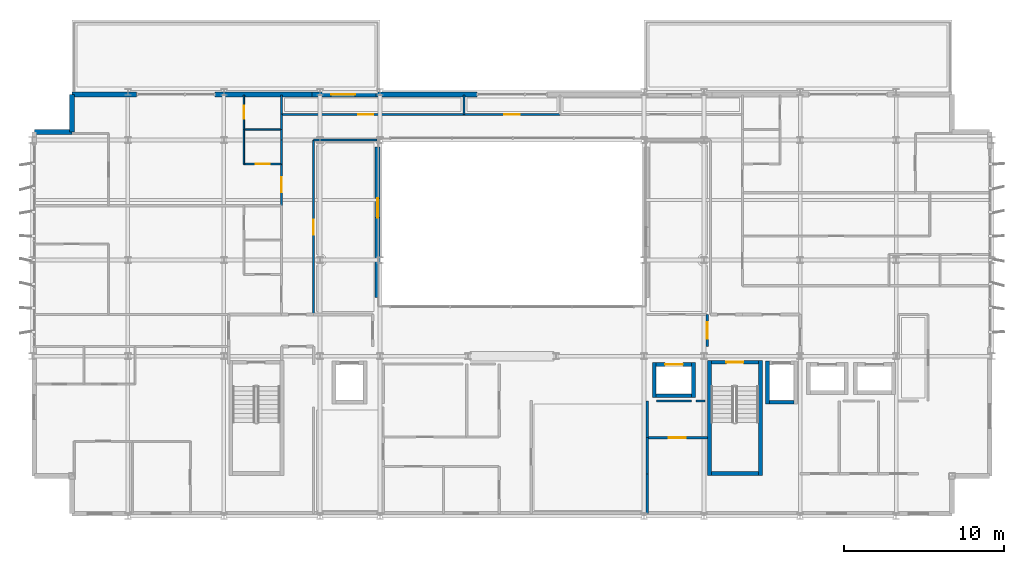
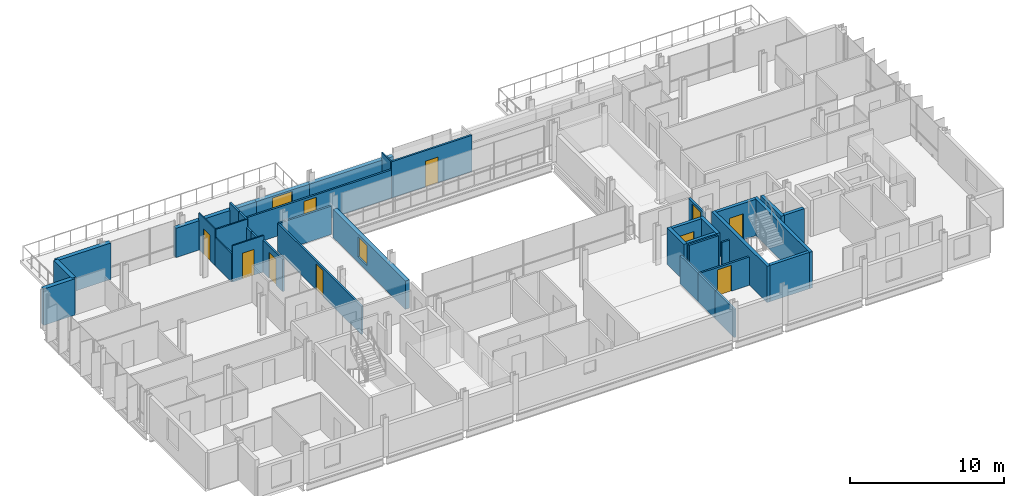
# One storey, part 30 of 38: 38 walls, 11 doors, 1 window, 12 openings.
"""IFC4 building model written with IfcOpenShell, lengths in metres."""

from ifc_helpers import new_model, si_unit, direction, frame, frame_2d, origin, place, context, subcontext, project, spatial, rectangle, extrude, material, layer, layer_set, type_object, element, fill, save


model = new_model("IFC4")

# Units and contexts
model_context = context("Model", 3, precision=1e-05, world=origin(), true_north=direction((0.0, 1.0)))
body_context = subcontext(model_context, "Body", "Model", "MODEL_VIEW")
ifc_project = project(units=[si_unit("LENGTHUNIT", "METRE"), si_unit("AREAUNIT", "SQUARE_METRE"), si_unit("VOLUMEUNIT", "CUBIC_METRE"), si_unit("PLANEANGLEUNIT", "RADIAN"), si_unit("MASSUNIT", "GRAM", prefix="KILO")], contexts=[model_context])

# Site, building, storey
site_placement = place(None, origin())
site = spatial("IfcSite", under=ifc_project, at=site_placement, CompositionType="ELEMENT")
building_placement = place(site_placement, origin())
building = spatial("IfcBuilding", under=site, at=building_placement, Name="Brevholm Reach", CompositionType="ELEMENT")
storey_placement = place(building_placement, frame((0.0, 0.0, 172.800048828125)))
storey = spatial("IfcBuildingStorey", under=building, at=storey_placement, Name="L52", CompositionType="ELEMENT", Elevation=172.800048828125)

# Walls
ifc_material_1 = material(Name="Concrete C45/55", Category="concrete")
ifc_layer_1 = layer(ifc_material_1, 0.239990234375)
ifc_layer_set_1 = layer_set([ifc_layer_1], Name="Concrete C45/55")
wall_type_1 = type_object("IfcWallType", Name="WAL-COR-240", PredefinedType="SHEAR", material=ifc_layer_set_1)
for number, where, z_axis, x_axis, name in (
    (1, (42.330078125, 2.5400390625, 0.0), (0.0, 0.0, 1.0), (0.0, 1.0, 0.0), "L52 Escape Stair ST-2 Core Wall W"),
    (2, (45.52001953125, 2.5400390625, 0.0), (0.0, 0.0, 1.0), (0.0, 1.0, 0.0), "L52 Escape Stair ST-2 Core Wall E"),
):
    element("IfcWall", number, at=place(storey_placement, frame(where, z_axis=z_axis, x_axis=x_axis)), inside=storey, type_object=wall_type_1, Name=name, PredefinedType="SHEAR", context=body_context, shape_type="SweptSolid", body=[
        extrude(rectangle(XDim=7.199951171875, YDim=0.239990234375, at=frame_2d((3.60009765625, 0.0))), origin(), (0.0, 0.0, 1.0), 2.889892578125),
    ])
wall_1_placement = place(storey_placement, frame((42.449951171875, 2.659912109375, 0.0), z_axis=(0.0, 0.0, 1.0), x_axis=(1.0, 0.0, 0.0)))
element("IfcWall", 3, at=wall_1_placement, inside=storey, type_object=wall_type_1, Name="L52 Escape Stair ST-2 Core Wall S", PredefinedType="SHEAR", context=body_context, shape_type="SweptSolid", body=[
    extrude(rectangle(XDim=2.949951171875, YDim=0.239990234375, at=frame_2d((1.47509765625, 0.0))), origin(), (0.0, 0.0, 1.0), 2.889892578125),
])

# Wall, opening, door
wall_2_placement = place(storey_placement, frame((45.39990234375, 9.6201171875, 0.0), z_axis=(0.0, 0.0, 1.0), x_axis=(-1.0, 0.0, 0.0)))
wall_2 = element("IfcWall", 4, at=wall_2_placement, inside=storey, type_object=wall_type_1, Name="L52 Escape Stair ST-2 Core Wall N", PredefinedType="SHEAR", context=body_context, shape_type="SweptSolid", body=[
    extrude(rectangle(XDim=2.949951171875, YDim=0.239990234375, at=frame_2d((1.47509765625, 0.0))), origin(), (0.0, 0.0, 1.0), 2.889892578125),
])
opening_1_placement = place(wall_2_placement, frame((0.949951171875, 0.0, 0.0)))
opening_1 = element("IfcOpeningElement", 5, at=opening_1_placement, cuts=wall_2, Name="Opening SD-ST-2", PredefinedType="OPENING", context=body_context, shape_type="SweptSolid", body=[
    extrude(rectangle(XDim=1.050048828125, YDim=2.06005859375, at=frame_2d((0.52490234375, 1.030029296875))), frame((0.0, 0.1298828125, 0.0), z_axis=(0.0, -1.0, 0.0), x_axis=(1.0, 0.0, 0.0)), (0.0, 0.0, 1.0), 0.260009765625),
])
ifc_material_2 = material(Name="Hardwood-Lipped Steel-Core Fire and Smoke Door", Category="steel")
door_type_1 = type_object("IfcDoorType", Name="DOR-INT-FD60S", OperationType="NOTDEFINED", PredefinedType="DOOR", material=ifc_material_2)
door_1_placement = place(opening_1_placement, origin())
door_1 = element("IfcDoor", 6, at=door_1_placement, inside=storey, type_object=door_type_1, Name="L52 Protected Stair ST-2 Lobby Door", OperationType="SINGLE_SWING_LEFT", OverallHeight=2.06005859375, OverallWidth=1.050048828125, PredefinedType="DOOR", context=body_context, shape_type="SweptSolid", body=[
    extrude(rectangle(XDim=1.050048828125, YDim=2.06005859375, at=frame_2d((0.52490234375, 1.030029296875))), frame((0.0, 0.02490234375, 0.0), z_axis=(0.0, -1.0, 0.0), x_axis=(1.0, 0.0, 0.0)), (0.0, 0.0, 1.0), 0.050048828125),
])
fill(opening_1, door_1)

# Walls
wall_3_placement = place(storey_placement, frame((45.969970703125, 7.0, 0.0), z_axis=(0.0, 0.0, 1.0), x_axis=(0.0, 1.0, 0.0)))
element("IfcWall", 7, at=wall_3_placement, inside=storey, type_object=wall_type_1, Name="L52 Lift FFL-2 Shaft Wall W", PredefinedType="SHEAR", context=body_context, shape_type="SweptSolid", body=[
    extrude(rectangle(XDim=2.699951171875, YDim=0.239990234375, at=frame_2d((1.35009765625, 0.0))), origin(), (0.0, 0.0, 1.0), 2.889892578125),
])
wall_4_placement = place(storey_placement, frame((46.090087890625, 7.1201171875, 0.0), z_axis=(0.0, 0.0, 1.0), x_axis=(1.0, 0.0, 0.0)))
element("IfcWall", 8, at=wall_4_placement, inside=storey, type_object=wall_type_1, Name="L52 Lift FFL-2 Shaft Wall S", PredefinedType="SHEAR", context=body_context, shape_type="SweptSolid", body=[
    extrude(rectangle(XDim=1.52001953125, YDim=0.239990234375, at=frame_2d((0.760009765625, 0.0))), origin(), (0.0, 0.0, 1.0), 2.889892578125),
])
for number, where, z_axis, x_axis, name in (
    (9, (38.889892578125, 7.39990234375, 0.0), (0.0, 0.0, 1.0), (0.0, 1.0, 0.0), "L52 Lift PL-S1 Shaft Wall W"),
    (10, (41.35009765625, 7.39990234375, 0.0), (0.0, 0.0, 1.0), (0.0, 1.0, 0.0), "L52 Lift PL-S1 Shaft Wall E"),
):
    element("IfcWall", number, at=place(storey_placement, frame(where, z_axis=z_axis, x_axis=x_axis)), inside=storey, type_object=wall_type_1, Name=name, PredefinedType="SHEAR", context=body_context, shape_type="SweptSolid", body=[
        extrude(rectangle(XDim=2.2001953125, YDim=0.239990234375, at=frame_2d((1.10009765625, 0.0))), origin(), (0.0, 0.0, 1.0), 2.889892578125),
    ])
wall_5_placement = place(storey_placement, frame((39.010009765625, 7.52001953125, 0.0), z_axis=(0.0, 0.0, 1.0), x_axis=(1.0, 0.0, 0.0)))
element("IfcWall", 11, at=wall_5_placement, inside=storey, type_object=wall_type_1, Name="L52 Lift PL-S1 Shaft Wall S", PredefinedType="SHEAR", context=body_context, shape_type="SweptSolid", body=[
    extrude(rectangle(XDim=2.219970703125, YDim=0.239990234375, at=frame_2d((1.10986328125, 0.0))), origin(), (0.0, 0.0, 1.0), 2.889892578125),
])

# Wall, opening, door
wall_6_placement = place(storey_placement, frame((39.010009765625, 9.47998046875, 0.0), z_axis=(0.0, 0.0, 1.0), x_axis=(1.0, 0.0, 0.0)))
wall_6 = element("IfcWall", 12, at=wall_6_placement, inside=storey, type_object=wall_type_1, Name="L52 Lift PL-S1 Shaft Wall N", PredefinedType="SHEAR", context=body_context, shape_type="SweptSolid", body=[
    extrude(rectangle(XDim=2.219970703125, YDim=0.239990234375, at=frame_2d((1.10986328125, 0.0))), origin(), (0.0, 0.0, 1.0), 2.889892578125),
])
opening_2_placement = place(wall_6_placement, frame((0.56005859375, 0.0, 0.0)))
opening_2 = element("IfcOpeningElement", 13, at=opening_2_placement, cuts=wall_6, Name="Opening LD-PL-S1", PredefinedType="OPENING", context=body_context, shape_type="SweptSolid", body=[
    extrude(rectangle(XDim=1.10009765625, YDim=2.06005859375, at=frame_2d((0.550048828125, 1.030029296875))), frame((0.0, 0.1298828125, 0.0), z_axis=(0.0, -1.0, 0.0), x_axis=(1.0, 0.0, 0.0)), (0.0, 0.0, 1.0), 0.260009765625),
])
ifc_material_3 = material(Name="Brushed Stainless Steel Fire-Rated Sliding Lift Door", Category="steel")
door_type_2 = type_object("IfcDoorType", Name="DOR-LFT-1100", OperationType="NOTDEFINED", PredefinedType="DOOR", material=ifc_material_3)
door_2_placement = place(opening_2_placement, origin())
door_2 = element("IfcDoor", 14, at=door_2_placement, inside=storey, type_object=door_type_2, Name="L52 Lift PL-S1 Sliding Landing Door", OperationType="SLIDING_TO_RIGHT", OverallHeight=2.06005859375, OverallWidth=1.10009765625, PredefinedType="DOOR", context=body_context, shape_type="SweptSolid", body=[
    extrude(rectangle(XDim=1.10009765625, YDim=2.06005859375, at=frame_2d((0.550048828125, 1.030029296875))), frame((0.0, 0.02490234375, 0.0), z_axis=(0.0, -1.0, 0.0), x_axis=(1.0, 0.0, 0.0)), (0.0, 0.0, 1.0), 0.050048828125),
])
fill(opening_2, door_2)

ifc_material_4 = material(Name="Concrete C40/50", Category="concrete")
ifc_layer_2 = layer(ifc_material_4, 0.300048828125)
ifc_layer_set_2 = layer_set([ifc_layer_2], Name="Concrete C40/50")
wall_type_2 = type_object("IfcWallType", Name="WAL-EXT-300", PredefinedType="STANDARD", material=ifc_layer_set_2)
wall_7_placement = place(storey_placement, frame((17.5, 26.35009765625, 0.0), z_axis=(0.0, 0.0, 1.0), x_axis=(1.0, 0.0, 0.0)))
wall_7 = element("IfcWall", 15, at=wall_7_placement, inside=storey, type_object=wall_type_2, Name="L52 Facade Wall WAL-L52-TERR-NW", PredefinedType="STANDARD", context=body_context, shape_type="SweptSolid", body=[
    extrude(rectangle(XDim=4.0, YDim=0.300048828125, at=frame_2d((2.0, 0.0))), origin(), (0.0, 0.0, 1.0), 2.331787109375),
])
opening_3_placement = place(wall_7_placement, frame((1.199951171875, 0.0, 0.0)))
opening_3 = element("IfcOpeningElement", 16, at=opening_3_placement, cuts=wall_7, Name="Opening ED-04", PredefinedType="OPENING", context=body_context, shape_type="SweptSolid", body=[
    extrude(rectangle(XDim=1.5, YDim=2.199951171875, at=frame_2d((0.75, 1.10009765625))), frame((0.0, 0.159912109375, 0.0), z_axis=(0.0, -1.0, 0.0), x_axis=(1.0, 0.0, 0.0)), (0.0, 0.0, 1.0), 0.320068359375),
])
ifc_material_5 = material(Name="Dark Anodised Aluminium and Laminated Glass", Category="aluminium")
door_type_3 = type_object("IfcDoorType", Name="DOR-EXT-TER", OperationType="NOTDEFINED", PredefinedType="DOOR", material=ifc_material_5)
door_3_placement = place(opening_3_placement, origin())
door_3 = element("IfcDoor", 17, at=door_3_placement, inside=storey, type_object=door_type_3, Name="L52 Exterior Door DOR-L52-TERR-NW", OperationType="SINGLE_SWING_LEFT", OverallHeight=2.199951171875, OverallWidth=1.5, PredefinedType="DOOR", context=body_context, shape_type="SweptSolid", body=[
    extrude(rectangle(XDim=1.5, YDim=2.199951171875, at=frame_2d((0.75, 1.10009765625))), frame((0.0, 0.02490234375, 0.0), z_axis=(0.0, -1.0, 0.0), x_axis=(1.0, 0.0, 0.0)), (0.0, 0.0, 1.0), 0.050048828125),
])
fill(opening_3, door_3)

# Walls
for number, where, z_axis, x_axis, name in (
    (18, (2.5, 26.35009765625, 0.0), (0.0, 0.0, 1.0), (0.0, -1.0, 0.0), "L52 Facade Wall WAL-L52-CNW1"),
    (19, (2.5, 24.0, 0.0), (0.0, 0.0, 1.0), (-1.0, 0.0, 0.0), "L52 Facade Wall WAL-L52-CNW2"),
):
    element("IfcWall", number, at=place(storey_placement, frame(where, z_axis=z_axis, x_axis=x_axis)), inside=storey, type_object=wall_type_2, Name=name, PredefinedType="STANDARD", context=body_context, shape_type="SweptSolid", body=[
        extrude(rectangle(XDim=2.35009765625, YDim=0.300048828125, at=frame_2d((1.175048828125, 0.0))), origin(), (0.0, 0.0, 1.0), 2.889892578125),
    ])
wall_8_placement = place(storey_placement, frame((2.5, 26.35009765625, 0.0), z_axis=(0.0, 0.0, 1.0), x_axis=(1.0, 0.0, 0.0)))
element("IfcWall", 20, at=wall_8_placement, inside=storey, type_object=wall_type_2, Name="L52 Facade Wall WAL-L52-NP-W0", PredefinedType="STANDARD", context=body_context, shape_type="SweptSolid", body=[
    extrude(rectangle(XDim=4.050048828125, YDim=0.300048828125, at=frame_2d((2.02490234375, 0.0))), origin(), (0.0, 0.0, 1.0), 2.889892578125),
])
wall_9_placement = place(storey_placement, frame((11.449951171875, 26.35009765625, 0.0), z_axis=(0.0, 0.0, 1.0), x_axis=(1.0, 0.0, 0.0)))
element("IfcWall", 21, at=wall_9_placement, inside=storey, type_object=wall_type_2, Name="L52 Facade Wall WAL-L52-NP-L1", PredefinedType="STANDARD", context=body_context, shape_type="SweptSolid", body=[
    extrude(rectangle(XDim=6.050048828125, YDim=0.300048828125, at=frame_2d((3.02490234375, 0.0))), origin(), (0.0, 0.0, 1.0), 2.331787109375),
])
wall_10_placement = place(storey_placement, frame((21.5, 26.35009765625, 0.0), z_axis=(0.0, 0.0, 1.0), x_axis=(1.0, 0.0, 0.0)))
element("IfcWall", 22, at=wall_10_placement, inside=storey, type_object=wall_type_2, Name="L52 Facade Wall WAL-L52-NP-L2", PredefinedType="STANDARD", context=body_context, shape_type="SweptSolid", body=[
    extrude(rectangle(XDim=6.300048828125, YDim=0.300048828125, at=frame_2d((3.14990234375, 0.0))), origin(), (0.0, 0.0, 1.0), 2.331787109375),
])

# Wall, opening, window
wall_11_placement = place(storey_placement, frame((21.60009765625, 23.050048828125, 0.0), z_axis=(0.0, 0.0, 1.0), x_axis=(0.0, -1.0, 0.0)))
wall_11 = element("IfcWall", 23, at=wall_11_placement, inside=storey, type_object=wall_type_2, Name="L52 Facade Wall WAL-L52-AT-W", PredefinedType="STANDARD", context=body_context, shape_type="SweptSolid", body=[
    extrude(rectangle(XDim=9.400146484375, YDim=0.300048828125, at=frame_2d((4.7001953125, 0.0))), origin(), (0.0, 0.0, 1.0), 2.252685546875),
])
opening_4_placement = place(wall_11_placement, frame((3.199951171875, 0.0, 0.43310546875)))
opening_4 = element("IfcOpeningElement", 24, at=opening_4_placement, cuts=wall_11, Name="Opening WN-08", PredefinedType="OPENING", context=body_context, shape_type="SweptSolid", body=[
    extrude(rectangle(XDim=1.199951171875, YDim=1.60009765625, at=frame_2d((0.60009765625, 0.800048828125))), frame((0.0, 0.159912109375, 0.0), z_axis=(0.0, -1.0, 0.0), x_axis=(1.0, 0.0, 0.0)), (0.0, 0.0, 1.0), 0.320068359375),
])
ifc_material_6 = material(Name="Dark Anodised Aluminium and Solar-Control IGU Glass", Category="aluminium")
window_type = type_object("IfcWindowType", Name="WIN-RES-1200", PartitioningType="SINGLE_PANEL", PredefinedType="WINDOW", material=ifc_material_6)
window_placement = place(opening_4_placement, origin())
window = element("IfcWindow", 25, at=window_placement, inside=storey, type_object=window_type, Name="L52 Window WIN-L52-AT-W1", OverallHeight=1.60009765625, OverallWidth=1.199951171875, PartitioningType="SINGLE_PANEL", PredefinedType="WINDOW", context=body_context, shape_type="SweptSolid", body=[
    extrude(rectangle(XDim=1.199951171875, YDim=1.60009765625, at=frame_2d((0.60009765625, 0.800048828125))), frame((0.0, 0.030029296875, 0.0), z_axis=(0.0, -1.0, 0.0), x_axis=(1.0, 0.0, 0.0)), (0.0, 0.0, 1.0), 0.06005859375),
])
fill(opening_4, window)

# Wall
ifc_material_7 = material(Name="Moisture-Resistant Acoustic Gypsum Stud Partition 100 mm", Category="gypsum")
ifc_layer_3 = layer(ifc_material_7, 0.10009765625)
ifc_layer_set_3 = layer_set([ifc_layer_3], Name="Moisture-Resistant Acoustic Gypsum Stud Partition 100 mm")
wall_type_3 = type_object("IfcWallType", Name="WAL-PRT-100", PredefinedType="PARTITIONING", material=ifc_layer_set_3)
wall_12_placement = place(storey_placement, frame((13.25, 24.14990234375, 0.0), z_axis=(0.0, 0.0, 1.0), x_axis=(1.0, 0.0, 0.0)))
element("IfcWall", 26, at=wall_12_placement, inside=storey, type_object=wall_type_3, Name="L52 Internal Partition 078", PredefinedType="PARTITIONING", context=body_context, shape_type="SweptSolid", body=[
    extrude(rectangle(XDim=2.35009765625, YDim=0.10009765625, at=frame_2d((1.175048828125, 0.0))), origin(), (0.0, 0.0, 1.0), 2.889892578125),
])

# Wall, opening, door
wall_13_placement = place(storey_placement, frame((13.25, 24.14990234375, 0.0), z_axis=(0.0, 0.0, 1.0), x_axis=(0.0, 1.0, 0.0)))
wall_13 = element("IfcWall", 27, at=wall_13_placement, inside=storey, type_object=wall_type_3, Name="L52 Internal Partition 079", PredefinedType="PARTITIONING", context=body_context, shape_type="SweptSolid", body=[
    extrude(rectangle(XDim=2.150146484375, YDim=0.10009765625, at=frame_2d((1.0751953125, 0.0))), origin(), (0.0, 0.0, 1.0), 2.889892578125),
])
opening_5_placement = place(wall_13_placement, frame((0.6650390625, 0.0, 0.0)))
opening_5 = element("IfcOpeningElement", 28, at=opening_5_placement, cuts=wall_13, Name="Opening ID-03", PredefinedType="OPENING", context=body_context, shape_type="SweptSolid", body=[
    extrude(rectangle(XDim=0.820068359375, YDim=2.02001953125, at=frame_2d((0.41015625, 1.010009765625))), frame((0.0, 0.06005859375, 0.0), z_axis=(0.0, -1.0, 0.0), x_axis=(1.0, 0.0, 0.0)), (0.0, 0.0, 1.0), 0.1201171875),
])
ifc_material_8 = material(Name="Moisture-Resistant Painted Timber Internal Bathroom Door", Category="wood")
door_type_4 = type_object("IfcDoorType", Name="DOR-BATH-820", OperationType="NOTDEFINED", PredefinedType="DOOR", material=ifc_material_8)
door_4_placement = place(opening_5_placement, origin())
door_4 = element("IfcDoor", 29, at=door_4_placement, inside=storey, type_object=door_type_4, Name="L52 Internal Door 034", OperationType="SINGLE_SWING_LEFT", OverallHeight=2.02001953125, OverallWidth=0.820068359375, PredefinedType="DOOR", context=body_context, shape_type="SweptSolid", body=[
    extrude(rectangle(XDim=0.820068359375, YDim=2.02001953125, at=frame_2d((0.41015625, 1.010009765625))), frame((0.0, 0.02490234375, 0.0), z_axis=(0.0, -1.0, 0.0), x_axis=(1.0, 0.0, 0.0)), (0.0, 0.0, 1.0), 0.050048828125),
])
fill(opening_5, door_4)

wall_14_placement = place(storey_placement, frame((13.25, 22.0, 0.0), z_axis=(0.0, 0.0, 1.0), x_axis=(1.0, 0.0, 0.0)))
wall_14 = element("IfcWall", 30, at=wall_14_placement, inside=storey, type_object=wall_type_3, Name="L52 Internal Partition 082", PredefinedType="PARTITIONING", context=body_context, shape_type="SweptSolid", body=[
    extrude(rectangle(XDim=2.345947265625, YDim=0.10009765625, at=frame_2d((1.1728515625, 0.0))), origin(), (0.0, 0.0, 1.0), 2.889892578125),
])
opening_6_placement = place(wall_14_placement, frame((0.73291015625, 0.0, 0.0)))
opening_6 = element("IfcOpeningElement", 31, at=opening_6_placement, cuts=wall_14, Name="Opening ID-01", PredefinedType="OPENING", context=body_context, shape_type="SweptSolid", body=[
    extrude(rectangle(XDim=0.8798828125, YDim=2.0400390625, at=frame_2d((0.43994140625, 1.02001953125))), frame((0.0, 0.06005859375, 0.0), z_axis=(0.0, -1.0, 0.0), x_axis=(1.0, 0.0, 0.0)), (0.0, 0.0, 1.0), 0.1201171875),
])
ifc_material_9 = material(Name="Lacquered Ash Solid-Core Acoustic Internal Door", Category="timber")
door_type_5 = type_object("IfcDoorType", Name="DOR-INT-880", OperationType="NOTDEFINED", PredefinedType="DOOR", material=ifc_material_9)
door_5_placement = place(opening_6_placement, origin())
door_5 = element("IfcDoor", 32, at=door_5_placement, inside=storey, type_object=door_type_5, Name="L52 Internal Door 035", OperationType="SINGLE_SWING_RIGHT", OverallHeight=2.0400390625, OverallWidth=0.8798828125, PredefinedType="DOOR", context=body_context, shape_type="SweptSolid", body=[
    extrude(rectangle(XDim=0.8798828125, YDim=2.0400390625, at=frame_2d((0.43994140625, 1.02001953125))), frame((0.0, 0.02490234375, 0.0), z_axis=(0.0, -1.0, 0.0), x_axis=(1.0, 0.0, 0.0)), (0.0, 0.0, 1.0), 0.050048828125),
])
fill(opening_6, door_5)

# Walls
wall_15_placement = place(storey_placement, frame((13.25, 22.0, 0.0), z_axis=(0.0, 0.0, 1.0), x_axis=(0.0, 1.0, 0.0)))
element("IfcWall", 33, at=wall_15_placement, inside=storey, type_object=wall_type_3, Name="L52 Internal Partition 083", PredefinedType="PARTITIONING", context=body_context, shape_type="SweptSolid", body=[
    extrude(rectangle(XDim=2.14599609375, YDim=0.10009765625, at=frame_2d((1.072998046875, 0.0))), origin(), (0.0, 0.0, 1.0), 2.252685546875),
])
wall_16_placement = place(storey_placement, frame((27.0, 25.10400390625, 0.0), z_axis=(0.0, 0.0, 1.0), x_axis=(0.0, 1.0, 0.0)))
element("IfcWall", 34, at=wall_16_placement, inside=storey, type_object=wall_type_3, Name="L52 Internal Partition 110", PredefinedType="PARTITIONING", context=body_context, shape_type="SweptSolid", body=[
    extrude(rectangle(XDim=1.196044921875, YDim=0.10009765625, at=frame_2d((0.59814453125, 0.0))), origin(), (0.0, 0.0, 1.0), 2.889892578125),
])
ifc_material_10 = material(Name="Twin-Stud Acoustic Fire-Rated Gypsum Partition 140 mm", Category="gypsum")
ifc_layer_4 = layer(ifc_material_10, 0.139892578125)
ifc_layer_set_4 = layer_set([ifc_layer_4], Name="Twin-Stud Acoustic Fire-Rated Gypsum Partition 140 mm")
wall_type_4 = type_object("IfcWallType", Name="WAL-PRT-140", PredefinedType="PARTITIONING", material=ifc_layer_set_4)
wall_17_placement = place(storey_placement, frame((38.449951171875, 0.179931640625, 0.0), z_axis=(0.0, 0.0, 1.0), x_axis=(0.0, 1.0, 0.0)))
element("IfcWall", 35, at=wall_17_placement, inside=storey, type_object=wall_type_4, Name="L52 Internal Partition 013", PredefinedType="PARTITIONING", context=body_context, shape_type="SweptSolid", body=[
    extrude(rectangle(XDim=2.4814453125, YDim=0.139892578125, at=frame_2d((1.24072265625, 0.0))), origin(), (0.0, 0.0, 1.0), 2.252685546875),
])
wall_18_placement = place(storey_placement, frame((38.449951171875, 2.642578125, 0.0), z_axis=(0.0, 0.0, 1.0), x_axis=(0.0, 1.0, 0.0)))
element("IfcWall", 36, at=wall_18_placement, inside=storey, type_object=wall_type_4, Name="L52 Internal Partition 014", PredefinedType="PARTITIONING", context=body_context, shape_type="SweptSolid", body=[
    extrude(rectangle(XDim=2.268798828125, YDim=0.139892578125, at=frame_2d((1.13427734375, 0.0))), origin(), (0.0, 0.0, 1.0), 2.252685546875),
])
wall_19_placement = place(storey_placement, frame((38.449951171875, 4.892578125, 0.0), z_axis=(0.0, 0.0, 1.0), x_axis=(0.0, 1.0, 0.0)))
element("IfcWall", 37, at=wall_19_placement, inside=storey, type_object=wall_type_4, Name="L52 Internal Partition 015", PredefinedType="PARTITIONING", context=body_context, shape_type="SweptSolid", body=[
    extrude(rectangle(XDim=2.307373046875, YDim=0.139892578125, at=frame_2d((1.15380859375, 0.0))), origin(), (0.0, 0.0, 1.0), 2.252685546875),
])

# Wall, opening, door
wall_20_placement = place(storey_placement, frame((38.4541015625, 4.89990234375, 0.0), z_axis=(0.0, 0.0, 1.0), x_axis=(1.0, 0.0, 0.0)))
wall_20 = element("IfcWall", 38, at=wall_20_placement, inside=storey, type_object=wall_type_4, Name="L52 Internal Partition 024", PredefinedType="PARTITIONING", context=body_context, shape_type="SweptSolid", body=[
    extrude(rectangle(XDim=3.745849609375, YDim=0.139892578125, at=frame_2d((1.873046875, 0.0))), origin(), (0.0, 0.0, 1.0), 2.252685546875),
])
opening_7_placement = place(wall_20_placement, frame((1.347900390625, 0.0, 0.0)))
opening_7 = element("IfcOpeningElement", 39, at=opening_7_placement, cuts=wall_20, Name="Opening FD-01", PredefinedType="OPENING", context=body_context, shape_type="SweptSolid", body=[
    extrude(rectangle(XDim=1.050048828125, YDim=2.06005859375, at=frame_2d((0.52490234375, 1.030029296875))), frame((0.0, 0.079833984375, 0.0), z_axis=(0.0, -1.0, 0.0), x_axis=(1.0, 0.0, 0.0)), (0.0, 0.0, 1.0), 0.159912109375),
])
door_6_placement = place(opening_7_placement, origin())
door_6 = element("IfcDoor", 40, at=door_6_placement, inside=storey, type_object=door_type_1, Name="L52 Internal Door 012", OperationType="SINGLE_SWING_LEFT", OverallHeight=2.06005859375, OverallWidth=1.050048828125, PredefinedType="DOOR", context=body_context, shape_type="SweptSolid", body=[
    extrude(rectangle(XDim=1.050048828125, YDim=2.06005859375, at=frame_2d((0.52490234375, 1.030029296875))), frame((0.0, 0.02490234375, 0.0), z_axis=(0.0, -1.0, 0.0), x_axis=(1.0, 0.0, 0.0)), (0.0, 0.0, 1.0), 0.050048828125),
])
fill(opening_7, door_6)

# Wall
wall_21_placement = place(storey_placement, frame((15.60009765625, 21.98876953125, 0.0), z_axis=(0.0, 0.0, 1.0), x_axis=(0.0, 1.0, 0.0)))
element("IfcWall", 41, at=wall_21_placement, inside=storey, type_object=wall_type_4, Name="L52 Internal Partition 044", PredefinedType="PARTITIONING", context=body_context, shape_type="SweptSolid", body=[
    extrude(rectangle(XDim=1.51123046875, YDim=0.139892578125, at=frame_2d((0.755615234375, 0.0))), origin(), (0.0, 0.0, 1.0), 2.252685546875),
])

# Wall, opening, door
wall_22_placement = place(storey_placement, frame((15.60009765625, 19.392578125, 0.0), z_axis=(0.0, 0.0, 1.0), x_axis=(0.0, 1.0, 0.0)))
wall_22 = element("IfcWall", 42, at=wall_22_placement, inside=storey, type_object=wall_type_4, Name="L52 Internal Partition 045", PredefinedType="PARTITIONING", context=body_context, shape_type="SweptSolid", body=[
    extrude(rectangle(XDim=2.61474609375, YDim=0.139892578125, at=frame_2d((1.307373046875, 0.0))), origin(), (0.0, 0.0, 1.0), 2.5615234375),
])
opening_8_placement = place(wall_22_placement, frame((0.832275390625, 0.0, 0.0)))
opening_8 = element("IfcOpeningElement", 43, at=opening_8_placement, cuts=wall_22, Name="Opening ID-30", PredefinedType="OPENING", context=body_context, shape_type="SweptSolid", body=[
    extrude(rectangle(XDim=0.949951171875, YDim=2.050048828125, at=frame_2d((0.47509765625, 1.02490234375))), frame((0.0, 0.079833984375, 0.0), z_axis=(0.0, -1.0, 0.0), x_axis=(1.0, 0.0, 0.0)), (0.0, 0.0, 1.0), 0.159912109375),
])
ifc_material_11 = material(Name="European Oak Veneered Solid-Core Fire Entrance Door", Category="timber")
door_type_6 = type_object("IfcDoorType", Name="DOR-FLT-FD30S", OperationType="NOTDEFINED", PredefinedType="DOOR", material=ifc_material_11)
door_7_placement = place(opening_8_placement, origin())
door_7 = element("IfcDoor", 44, at=door_7_placement, inside=storey, type_object=door_type_6, Name="L52 Internal Door 022", OperationType="SINGLE_SWING_LEFT", OverallHeight=2.050048828125, OverallWidth=0.949951171875, PredefinedType="DOOR", context=body_context, shape_type="SweptSolid", body=[
    extrude(rectangle(XDim=0.949951171875, YDim=2.050048828125, at=frame_2d((0.47509765625, 1.02490234375))), frame((0.0, 0.02490234375, 0.0), z_axis=(0.0, -1.0, 0.0), x_axis=(1.0, 0.0, 0.0)), (0.0, 0.0, 1.0), 0.050048828125),
])
fill(opening_8, door_7)

wall_23_placement = place(storey_placement, frame((17.60009765625, 12.60400390625, 0.0), z_axis=(0.0, 0.0, 1.0), x_axis=(0.0, 1.0, 0.0)))
wall_23 = element("IfcWall", 45, at=wall_23_placement, inside=storey, type_object=wall_type_4, Name="L52 Internal Partition 046", PredefinedType="PARTITIONING", context=body_context, shape_type="SweptSolid", body=[
    extrude(rectangle(XDim=10.89599609375, YDim=0.139892578125, at=frame_2d((5.447998046875, 0.0))), origin(), (0.0, 0.0, 1.0), 2.252685546875),
])
opening_9_placement = place(wall_23_placement, frame((4.972900390625, 0.0, 0.0)))
opening_9 = element("IfcOpeningElement", 46, at=opening_9_placement, cuts=wall_23, Name="Opening ID-30", PredefinedType="OPENING", context=body_context, shape_type="SweptSolid", body=[
    extrude(rectangle(XDim=0.949951171875, YDim=2.050048828125, at=frame_2d((0.47509765625, 1.02490234375))), frame((0.0, 0.079833984375, 0.0), z_axis=(0.0, -1.0, 0.0), x_axis=(1.0, 0.0, 0.0)), (0.0, 0.0, 1.0), 0.159912109375),
])
door_8_placement = place(opening_9_placement, origin())
door_8 = element("IfcDoor", 47, at=door_8_placement, inside=storey, type_object=door_type_6, Name="L52 Internal Door 023", OperationType="SINGLE_SWING_RIGHT", OverallHeight=2.050048828125, OverallWidth=0.949951171875, PredefinedType="DOOR", context=body_context, shape_type="SweptSolid", body=[
    extrude(rectangle(XDim=0.949951171875, YDim=2.050048828125, at=frame_2d((0.47509765625, 1.02490234375))), frame((0.0, 0.02490234375, 0.0), z_axis=(0.0, -1.0, 0.0), x_axis=(1.0, 0.0, 0.0)), (0.0, 0.0, 1.0), 0.050048828125),
])
fill(opening_9, door_8)

# Walls
wall_24_placement = place(storey_placement, frame((15.60009765625, 24.14990234375, 0.0), z_axis=(0.0, 0.0, 1.0), x_axis=(0.0, 1.0, 0.0)))
element("IfcWall", 48, at=wall_24_placement, inside=storey, type_object=wall_type_4, Name="L52 Internal Partition 080", PredefinedType="PARTITIONING", context=body_context, shape_type="SweptSolid", body=[
    extrude(rectangle(XDim=0.96142578125, YDim=0.139892578125, at=frame_2d((0.480712890625, 0.0))), origin(), (0.0, 0.0, 1.0), 2.889892578125),
])
wall_25_placement = place(storey_placement, frame((15.60009765625, 25.0927734375, 0.0), z_axis=(0.0, 0.0, 1.0), x_axis=(0.0, 1.0, 0.0)))
element("IfcWall", 49, at=wall_25_placement, inside=storey, type_object=wall_type_4, Name="L52 Internal Partition 081", PredefinedType="PARTITIONING", context=body_context, shape_type="SweptSolid", body=[
    extrude(rectangle(XDim=1.207275390625, YDim=0.139892578125, at=frame_2d((0.603515625, 0.0))), origin(), (0.0, 0.0, 1.0), 2.889892578125),
])
wall_26_placement = place(storey_placement, frame((15.60009765625, 23.50390625, 0.0), z_axis=(0.0, 0.0, 1.0), x_axis=(0.0, 1.0, 0.0)))
element("IfcWall", 50, at=wall_26_placement, inside=storey, type_object=wall_type_4, Name="L52 Internal Partition 084", PredefinedType="PARTITIONING", context=body_context, shape_type="SweptSolid", body=[
    extrude(rectangle(XDim=0.64208984375, YDim=0.139892578125, at=frame_2d((0.321044921875, 0.0))), origin(), (0.0, 0.0, 1.0), 2.252685546875),
])
wall_27_placement = place(storey_placement, frame((17.60400390625, 23.5, 0.0), z_axis=(0.0, 0.0, 1.0), x_axis=(1.0, 0.0, 0.0)))
element("IfcWall", 51, at=wall_27_placement, inside=storey, type_object=wall_type_4, Name="L52 Internal Partition 105", PredefinedType="PARTITIONING", context=body_context, shape_type="SweptSolid", body=[
    extrude(rectangle(XDim=3.946044921875, YDim=0.139892578125, at=frame_2d((1.97314453125, 0.0))), origin(), (0.0, 0.0, 1.0), 2.252685546875),
])

# Wall, opening, door
wall_28_placement = place(storey_placement, frame((15.60400390625, 25.10009765625, 0.0), z_axis=(0.0, 0.0, 1.0), x_axis=(1.0, 0.0, 0.0)))
wall_28 = element("IfcWall", 52, at=wall_28_placement, inside=storey, type_object=wall_type_4, Name="L52 Internal Partition 107", PredefinedType="PARTITIONING", context=body_context, shape_type="SweptSolid", body=[
    extrude(rectangle(XDim=11.4072265625, YDim=0.139892578125, at=frame_2d((5.70361328125, 0.0))), origin(), (0.0, 0.0, 1.0), 2.252685546875),
])
opening_10_placement = place(wall_28_placement, frame((4.78857421875, 0.0, 0.0)))
opening_10 = element("IfcOpeningElement", 53, at=opening_10_placement, cuts=wall_28, Name="Opening ID-30", PredefinedType="OPENING", context=body_context, shape_type="SweptSolid", body=[
    extrude(rectangle(XDim=0.949951171875, YDim=2.050048828125, at=frame_2d((0.47509765625, 1.02490234375))), frame((0.0, 0.079833984375, 0.0), z_axis=(0.0, -1.0, 0.0), x_axis=(1.0, 0.0, 0.0)), (0.0, 0.0, 1.0), 0.159912109375),
])
door_9_placement = place(opening_10_placement, origin())
door_9 = element("IfcDoor", 54, at=door_9_placement, inside=storey, type_object=door_type_6, Name="L52 Internal Door 043", OperationType="SINGLE_SWING_RIGHT", OverallHeight=2.050048828125, OverallWidth=0.949951171875, PredefinedType="DOOR", context=body_context, shape_type="SweptSolid", body=[
    extrude(rectangle(XDim=0.949951171875, YDim=2.050048828125, at=frame_2d((0.47509765625, 1.02490234375))), frame((0.0, 0.02490234375, 0.0), z_axis=(0.0, -1.0, 0.0), x_axis=(1.0, 0.0, 0.0)), (0.0, 0.0, 1.0), 0.050048828125),
])
fill(opening_10, door_9)

wall_29_placement = place(storey_placement, frame((26.99267578125, 25.10009765625, 0.0), z_axis=(0.0, 0.0, 1.0), x_axis=(1.0, 0.0, 0.0)))
wall_29 = element("IfcWall", 55, at=wall_29_placement, inside=storey, type_object=wall_type_4, Name="L52 Internal Partition 108", PredefinedType="PARTITIONING", context=body_context, shape_type="SweptSolid", body=[
    extrude(rectangle(XDim=6.0185546875, YDim=0.139892578125, at=frame_2d((3.00927734375, 0.0))), origin(), (0.0, 0.0, 1.0), 2.889892578125),
])
opening_11_placement = place(wall_29_placement, frame((2.5341796875, 0.0, 0.0)))
opening_11 = element("IfcOpeningElement", 56, at=opening_11_placement, cuts=wall_29, Name="Opening ID-30", PredefinedType="OPENING", context=body_context, shape_type="SweptSolid", body=[
    extrude(rectangle(XDim=0.949951171875, YDim=2.050048828125, at=frame_2d((0.47509765625, 1.02490234375))), frame((0.0, 0.079833984375, 0.0), z_axis=(0.0, -1.0, 0.0), x_axis=(1.0, 0.0, 0.0)), (0.0, 0.0, 1.0), 0.159912109375),
])
door_10_placement = place(opening_11_placement, origin())
door_10 = element("IfcDoor", 57, at=door_10_placement, inside=storey, type_object=door_type_6, Name="L52 Internal Door 044", OperationType="SINGLE_SWING_LEFT", OverallHeight=2.050048828125, OverallWidth=0.949951171875, PredefinedType="DOOR", context=body_context, shape_type="SweptSolid", body=[
    extrude(rectangle(XDim=0.949951171875, YDim=2.050048828125, at=frame_2d((0.47509765625, 1.02490234375))), frame((0.0, 0.02490234375, 0.0), z_axis=(0.0, -1.0, 0.0), x_axis=(1.0, 0.0, 0.0)), (0.0, 0.0, 1.0), 0.050048828125),
])
fill(opening_11, door_10)

# Walls
wall_30_placement = place(storey_placement, frame((41.482666015625, 7.199951171875, 0.0), z_axis=(0.0, 0.0, 1.0), x_axis=(1.0, 0.0, 0.0)))
element("IfcWall", 58, at=wall_30_placement, inside=storey, type_object=wall_type_4, Name="L52 Internal Partition 115", PredefinedType="PARTITIONING", context=body_context, shape_type="SweptSolid", body=[
    extrude(rectangle(XDim=0.577392578125, YDim=0.139892578125, at=frame_2d((0.28857421875, 0.0))), origin(), (0.0, 0.0, 1.0), 2.252685546875),
])
wall_31_placement = place(storey_placement, frame((39.022705078125, 7.199951171875, 0.0), z_axis=(0.0, 0.0, 1.0), x_axis=(1.0, 0.0, 0.0)))
element("IfcWall", 59, at=wall_31_placement, inside=storey, type_object=wall_type_4, Name="L52 Internal Partition 116", PredefinedType="PARTITIONING", context=body_context, shape_type="SweptSolid", body=[
    extrude(rectangle(XDim=2.194580078125, YDim=0.139892578125, at=frame_2d((1.09716796875, 0.0))), origin(), (0.0, 0.0, 1.0), 2.889892578125),
])

# Wall, opening, door
ifc_material_12 = material(Name="Twin-Frame Fire-Rated Gypsum Board and Mineral Wool 160 mm", Category="gypsum")
ifc_layer_5 = layer(ifc_material_12, 0.159912109375)
ifc_layer_set_5 = layer_set([ifc_layer_5], Name="Twin-Frame Fire-Rated Gypsum Board and Mineral Wool 160 mm")
wall_type_5 = type_object("IfcWallType", Name="WAL-PRT-160", PredefinedType="PARTITIONING", material=ifc_layer_set_5)
wall_32_placement = place(storey_placement, frame((42.199951171875, 10.588623046875, 0.0), z_axis=(0.0, 0.0, 1.0), x_axis=(0.0, 1.0, 0.0)))
wall_32 = element("IfcWall", 60, at=wall_32_placement, inside=storey, type_object=wall_type_5, Name="L52 Internal Partition 035", PredefinedType="PARTITIONING", context=body_context, shape_type="SweptSolid", body=[
    extrude(rectangle(XDim=2.011474609375, YDim=0.159912109375, at=frame_2d((1.005859375, 0.0))), origin(), (0.0, 0.0, 1.0), 2.252685546875),
])
opening_12_placement = place(wall_32_placement, frame((0.480712890625, 0.0, 0.0)))
opening_12 = element("IfcOpeningElement", 61, at=opening_12_placement, cuts=wall_32, Name="Opening FD-01", PredefinedType="OPENING", context=body_context, shape_type="SweptSolid", body=[
    extrude(rectangle(XDim=1.050048828125, YDim=2.06005859375, at=frame_2d((0.52490234375, 1.030029296875))), frame((0.0, 0.08984375, 0.0), z_axis=(0.0, -1.0, 0.0), x_axis=(1.0, 0.0, 0.0)), (0.0, 0.0, 1.0), 0.179931640625),
])
door_11_placement = place(opening_12_placement, origin())
door_11 = element("IfcDoor", 62, at=door_11_placement, inside=storey, type_object=door_type_1, Name="L52 Internal Door 017", OperationType="SINGLE_SWING_RIGHT", OverallHeight=2.06005859375, OverallWidth=1.050048828125, PredefinedType="DOOR", context=body_context, shape_type="SweptSolid", body=[
    extrude(rectangle(XDim=1.050048828125, YDim=2.06005859375, at=frame_2d((0.52490234375, 1.030029296875))), frame((0.0, 0.02490234375, 0.0), z_axis=(0.0, -1.0, 0.0), x_axis=(1.0, 0.0, 0.0)), (0.0, 0.0, 1.0), 0.050048828125),
])
fill(opening_12, door_11)

save(model, "model.ifc")
